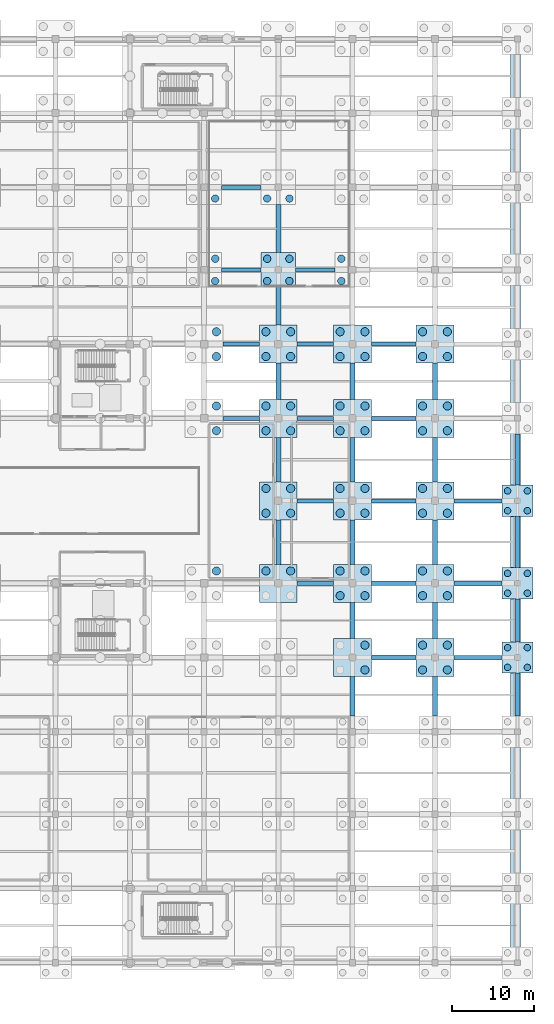
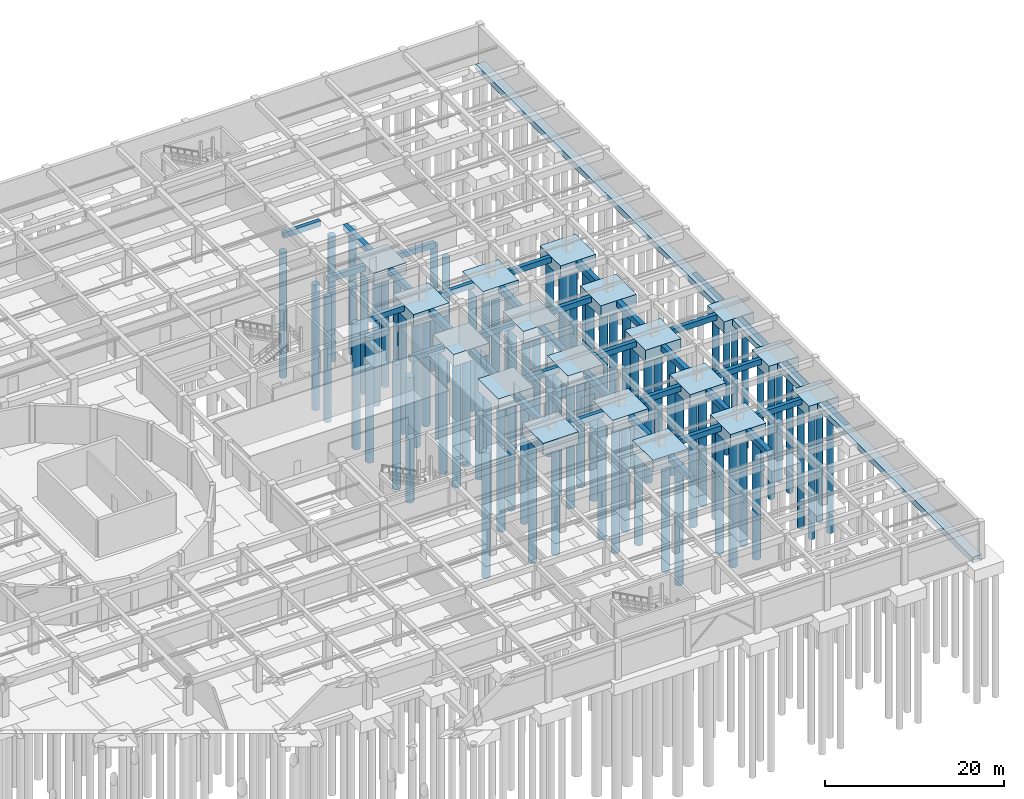
# One storey, part 10 of 62: 80 piles, 55 footings.
"""IFC4 building model written with IfcOpenShell, lengths in metres."""

import ifcopenshell
import ifcopenshell.guid

model = None  # the IFC model being written
_history = None  # IfcOwnerHistory: only IFC2X3 demands one
_inside = {}  # id of a spatial element -> (the spatial element, [elements in it])
_under = {}  # id of a project, library or spatial element -> (it, [spatial elements below it])
_declared = {}  # id of a project -> (the project, [libraries it declares])
_typed = {}  # id of a type object -> (the type object, [elements of that type])
_made_of = {}  # id of a material, layer set ... -> (it, [elements and type objects made of it])


def new_model(schema):
    """Start an empty IFC model of exactly this schema.

    Asked for "IFC4X3", IfcOpenShell would pick the latest addendum, in which some entities
    have other attributes; the version numbers below select the first issue.
    IFC2X3 requires an IfcOwnerHistory on every rooted entity: one is made here for all.
    """
    global model, _history
    if schema == "IFC4X3":
        model = ifcopenshell.file(schema_version=(4, 3, 0, 0))
    else:
        model = ifcopenshell.file(schema=schema)
    _inside.clear()
    _under.clear()
    _declared.clear()
    _typed.clear()
    _made_of.clear()
    _history = None
    if model.schema == "IFC2X3":
        org = make("IfcOrganization", Name="unknown")
        user = make(
            "IfcPersonAndOrganization",
            ThePerson=make("IfcPerson", FamilyName="unknown"),
            TheOrganization=org,
        )
        app = make(
            "IfcApplication",
            ApplicationDeveloper=org,
            Version="unknown",
            ApplicationFullName="unknown",
            ApplicationIdentifier="unknown",
        )
        _history = make(
            "IfcOwnerHistory",
            OwningUser=user,
            OwningApplication=app,
            ChangeAction="ADDED",
            CreationDate=0,
        )
    return model


def make(cls, **values):
    """One entity of the class cls with the attributes given. An attribute that is None is left unset."""
    return model.create_entity(
        cls, **{name: value for name, value in values.items() if value is not None}
    )


def rooted(cls, **values):
    """An entity with a GlobalId (a new one), such as an element, a storey or a relation."""
    return make(cls, GlobalId=ifcopenshell.guid.new(), OwnerHistory=_history, **values)


def si_unit(unit_type, name, prefix=None):
    """IfcSIUnit, for example si_unit("LENGTHUNIT", "METRE", prefix="MILLI")."""
    return make("IfcSIUnit", UnitType=unit_type, Prefix=prefix, Name=name)


def assignment(units):
    """IfcUnitAssignment: the units of a project."""
    return None if units is None else make("IfcUnitAssignment", Units=units)


def point(xyz):
    """IfcCartesianPoint."""
    return None if xyz is None else make("IfcCartesianPoint", Coordinates=xyz)


def direction(xyz):
    """IfcDirection."""
    return None if xyz is None else make("IfcDirection", DirectionRatios=xyz)


def frame(location, z_axis=None, x_axis=None):
    """IfcAxis2Placement3D, a coordinate frame: its origin and axes. An axis left out is left unset."""
    return make(
        "IfcAxis2Placement3D",
        Location=point(location),
        Axis=direction(z_axis),
        RefDirection=direction(x_axis),
    )


def frame_2d(location, x_axis=None):
    """IfcAxis2Placement2D, a coordinate frame in the plane: its origin and x axis."""
    return make(
        "IfcAxis2Placement2D", Location=point(location), RefDirection=direction(x_axis)
    )


def origin():
    """The frame at (0, 0, 0) with its axes left unset."""
    return frame((0.0, 0.0, 0.0))


def origin_2d():
    """The frame at (0, 0) in the plane with its x axis left unset."""
    return frame_2d((0.0, 0.0))


def place(relative_to, where):
    """IfcLocalPlacement: puts the frame where relative to a parent placement (None: the world)."""
    return make(
        "IfcLocalPlacement", PlacementRelTo=relative_to, RelativePlacement=where
    )


def context(
    kind, dimensions, precision=None, world=None, true_north=None, identifier=None
):
    """IfcGeometricRepresentationContext, for example the 3D "Model" context."""
    return make(
        "IfcGeometricRepresentationContext",
        ContextIdentifier=identifier,
        ContextType=kind,
        CoordinateSpaceDimension=dimensions,
        Precision=precision,
        WorldCoordinateSystem=world,
        TrueNorth=true_north,
    )


def subcontext(parent, identifier, kind, view, scale=None):
    """IfcGeometricRepresentationSubContext, for example "Body" below "Model"."""
    return make(
        "IfcGeometricRepresentationSubContext",
        ContextIdentifier=identifier,
        ContextType=kind,
        ParentContext=parent,
        TargetScale=scale,
        TargetView=view,
    )


def project(units=None, contexts=None):
    """IfcProject with its units and contexts."""
    return rooted(
        "IfcProject",
        Name="project",
        RepresentationContexts=contexts,
        UnitsInContext=assignment(units),
    )


def spatial(cls, under=None, at=None, **own):
    """A site, building, storey or space (cls), placed at a placement, below another one or the project."""
    s = rooted(cls, ObjectPlacement=at, **own)
    if under is not None:
        _under.setdefault(under.id(), (under, []))[1].append(s)
    return s


def polyline(points):
    """IfcPolyline through the points."""
    return make("IfcPolyline", Points=[point(p) for p in points])


def profile(cls, at=None, kind="AREA", **sizes):
    """A parametric profile (cls). Its sizes go by their IFC names, for example OverallWidth=200.0."""
    return make(cls, ProfileType=kind, Position=at, **sizes)


def rectangle(**sizes):
    """IfcRectangleProfileDef."""
    return profile("IfcRectangleProfileDef", **sizes)


def circle(**sizes):
    """IfcCircleProfileDef."""
    return profile("IfcCircleProfileDef", **sizes)


def outline(outer, holes=None, kind="AREA"):
    """IfcArbitraryClosedProfileDef: a profile drawn as a closed curve; with holes, ...WithVoids."""
    if holes is None:
        return make("IfcArbitraryClosedProfileDef", ProfileType=kind, OuterCurve=outer)
    return make(
        "IfcArbitraryProfileDefWithVoids",
        ProfileType=kind,
        OuterCurve=outer,
        InnerCurves=holes,
    )


def extrude(swept, where, along, depth):
    """IfcExtrudedAreaSolid: the profile swept, set in the frame where, extruded along a direction by depth."""
    return make(
        "IfcExtrudedAreaSolid",
        SweptArea=swept,
        Position=where,
        ExtrudedDirection=direction(along),
        Depth=depth,
    )


def shape(context_of_items, identifier, shape_type, items):
    """IfcShapeRepresentation: the items that make up one representation, for example the "Body"."""
    return make(
        "IfcShapeRepresentation",
        ContextOfItems=context_of_items,
        RepresentationIdentifier=identifier,
        RepresentationType=shape_type,
        Items=items,
    )


def material(Name=None, Category=None):
    """IfcMaterial."""
    return make("IfcMaterial", Name=Name, Category=Category)


def material_profile(
    of_material, cross_section, Name=None, Category=None, Priority=None
):
    """IfcMaterialProfile: a cross section and its material."""
    return make(
        "IfcMaterialProfile",
        Name=Name,
        Material=of_material,
        Profile=cross_section,
        Priority=Priority,
        Category=Category,
    )


def profile_set(profiles, Name=None, composite=None):
    """IfcMaterialProfileSet."""
    return make(
        "IfcMaterialProfileSet",
        Name=Name,
        MaterialProfiles=profiles,
        CompositeProfile=composite,
    )


def made_of(thing, what):
    """Note that an element or type object is made of a material, layer set ...; save() writes the relation."""
    if what is not None:
        _made_of.setdefault(what.id(), (what, []))[1].append(thing)
    return thing


def type_object(cls, material=None, **own):
    """A type object (cls), such as IfcWallType, which elements share."""
    return made_of(rooted(cls, **own), material)


def element(
    cls,
    number,
    at=None,
    inside=None,
    cuts=None,
    type_object=None,
    material=None,
    context=None,
    identifier="Body",
    shape_type=None,
    held_by="IfcProductDefinitionShape",
    body=None,
    shapes=None,
    **own,
):
    """One element of the class cls, such as IfcWall. Its Tag is "e" and its number.

    at: its placement. inside: the storey or other place that contains it. cuts: it is an
    opening in that element (IfcRelVoidsElement). A single representation is given by context,
    identifier, shape_type and body (its items); several are given by shapes. held_by: the class
    of the entity that holds the representations. save() writes the other relations.
    """
    e = rooted(cls, Tag="e%d" % number, ObjectPlacement=at, **own)
    if body is not None:
        shapes = [shape(context, identifier, shape_type, body)]
    if shapes is not None:
        e.Representation = make(held_by, Representations=shapes)
    if inside is not None:
        _inside.setdefault(inside.id(), (inside, []))[1].append(e)
    if cuts is not None:
        rooted(
            "IfcRelVoidsElement", RelatingBuildingElement=cuts, RelatedOpeningElement=e
        )
    if type_object is not None:
        _typed.setdefault(type_object.id(), (type_object, []))[1].append(e)
    return made_of(e, material)


def aggregate(whole, parts):
    """IfcRelAggregates: a whole, such as a stair, and the parts it consists of."""
    return rooted("IfcRelAggregates", RelatingObject=whole, RelatedObjects=parts)


def save(model, path):
    """Write the relations noted so far, then the file.

    IfcRelAggregates (storeys below a building ...), IfcRelContainedInSpatialStructure (elements
    in a storey), IfcRelDefinesByType, IfcRelAssociatesMaterial and IfcRelDeclares: one each for
    every whole, place, type object, material and project.
    """
    for whole, parts in _under.values():
        aggregate(whole, parts)
    for where, things in _inside.values():
        rooted(
            "IfcRelContainedInSpatialStructure",
            RelatedElements=things,
            RelatingStructure=where,
        )
    for kind, things in _typed.values():
        rooted("IfcRelDefinesByType", RelatedObjects=things, RelatingType=kind)
    for what, things in _made_of.values():
        rooted("IfcRelAssociatesMaterial", RelatedObjects=things, RelatingMaterial=what)
    for by, libraries in _declared.values():
        rooted("IfcRelDeclares", RelatingContext=by, RelatedDefinitions=libraries)
    model.write(path)


model = new_model("IFC4")

# Units and contexts
model_context = context("Model", 3, precision=1e-05, world=origin(), true_north=direction((0.0, 1.0)))
body_context = subcontext(model_context, "Body", "Model", "MODEL_VIEW")
ifc_project = project(units=[si_unit("LENGTHUNIT", "METRE"), si_unit("AREAUNIT", "SQUARE_METRE"), si_unit("VOLUMEUNIT", "CUBIC_METRE"), si_unit("PLANEANGLEUNIT", "RADIAN"), si_unit("MASSUNIT", "GRAM", prefix="KILO")], contexts=[model_context])

# Site, building, storey
site_placement = place(None, origin())
site = spatial("IfcSite", under=ifc_project, at=site_placement, CompositionType="ELEMENT")
building_placement = place(site_placement, origin())
building = spatial("IfcBuilding", under=site, at=building_placement, Name="Miravela Opera House", CompositionType="ELEMENT")
storey_placement = place(building_placement, frame((0.0, 0.0, -5.10009765625)))
storey = spatial("IfcBuildingStorey", under=building, at=storey_placement, Name="B01", CompositionType="ELEMENT", Elevation=-5.10009765625)

# Footings
ifc_material = material(Name="Concrete C35/45", Category="concrete")
footing_type_1 = type_object("IfcFootingType", Name="STR-GB-500X750", PredefinedType="FOOTING_BEAM", material=ifc_material)
footing_1_placement = place(storey_placement, frame((0.0, 0.0, -0.75)))
element("IfcFooting", 1, at=footing_1_placement, inside=storey, type_object=footing_type_1, Name="Seismic Grade Tie Beam GB-X-258", PredefinedType="FOOTING_BEAM", context=body_context, shape_type="SweptSolid", body=[
    extrude(outline(polyline([(146.300048828125, 36.75), (151.699951171875, 36.75), (151.699951171875, 37.25), (146.300048828125, 37.25), (146.300048828125, 36.75)])), origin(), (0.0, 0.0, 1.0), 0.75),
])
footing_2_placement = place(storey_placement, frame((0.0, 0.0, -0.75)))
element("IfcFooting", 2, at=footing_2_placement, inside=storey, type_object=footing_type_1, Name="Seismic Grade Tie Beam GB-X-259", PredefinedType="FOOTING_BEAM", context=body_context, shape_type="SweptSolid", body=[
    extrude(outline(polyline([(156.300048828125, 36.75), (162.10009765625, 36.75), (162.10009765625, 37.25), (156.300048828125, 37.25), (156.300048828125, 36.75)])), origin(), (0.0, 0.0, 1.0), 0.75),
])
footing_3_placement = place(storey_placement, frame((0.0, 0.0, -0.75)))
element("IfcFooting", 3, at=footing_3_placement, inside=storey, type_object=footing_type_1, Name="Seismic Grade Tie Beam GB-X-267", PredefinedType="FOOTING_BEAM", context=body_context, shape_type="SweptSolid", body=[
    extrude(outline(polyline([(137.300048828125, 45.75), (141.699951171875, 45.75), (141.699951171875, 46.25), (137.300048828125, 46.25), (137.300048828125, 45.75)])), origin(), (0.0, 0.0, 1.0), 0.75),
])
footing_4_placement = place(storey_placement, frame((0.0, 0.0, -0.75)))
element("IfcFooting", 4, at=footing_4_placement, inside=storey, type_object=footing_type_1, Name="Seismic Grade Tie Beam GB-X-268", PredefinedType="FOOTING_BEAM", context=body_context, shape_type="SweptSolid", body=[
    extrude(outline(polyline([(146.300048828125, 45.75), (151.699951171875, 45.75), (151.699951171875, 46.25), (146.300048828125, 46.25), (146.300048828125, 45.75)])), origin(), (0.0, 0.0, 1.0), 0.75),
])
footing_5_placement = place(storey_placement, frame((0.0, 0.0, -0.75)))
element("IfcFooting", 5, at=footing_5_placement, inside=storey, type_object=footing_type_1, Name="Seismic Grade Tie Beam GB-X-269", PredefinedType="FOOTING_BEAM", context=body_context, shape_type="SweptSolid", body=[
    extrude(outline(polyline([(156.300048828125, 45.75), (162.10009765625, 45.75), (162.10009765625, 46.25), (156.300048828125, 46.25), (156.300048828125, 45.75)])), origin(), (0.0, 0.0, 1.0), 0.75),
])
footing_6_placement = place(storey_placement, frame((0.0, 0.0, -0.75)))
element("IfcFooting", 6, at=footing_6_placement, inside=storey, type_object=footing_type_1, Name="Seismic Grade Tie Beam GB-X-274", PredefinedType="FOOTING_BEAM", context=body_context, shape_type="SweptSolid", body=[
    extrude(outline(polyline([(137.300048828125, 55.75), (141.699951171875, 55.75), (141.699951171875, 56.25), (137.300048828125, 56.25), (137.300048828125, 55.75)])), origin(), (0.0, 0.0, 1.0), 0.75),
])
footing_7_placement = place(storey_placement, frame((0.0, 0.0, -0.75)))
element("IfcFooting", 7, at=footing_7_placement, inside=storey, type_object=footing_type_1, Name="Seismic Grade Tie Beam GB-X-275", PredefinedType="FOOTING_BEAM", context=body_context, shape_type="SweptSolid", body=[
    extrude(outline(polyline([(146.300048828125, 55.75), (151.699951171875, 55.75), (151.699951171875, 56.25), (146.300048828125, 56.25), (146.300048828125, 55.75)])), origin(), (0.0, 0.0, 1.0), 0.75),
])
footing_8_placement = place(storey_placement, frame((0.0, 0.0, -0.75)))
element("IfcFooting", 8, at=footing_8_placement, inside=storey, type_object=footing_type_1, Name="Seismic Grade Tie Beam GB-X-276", PredefinedType="FOOTING_BEAM", context=body_context, shape_type="SweptSolid", body=[
    extrude(outline(polyline([(156.300048828125, 55.75), (162.10009765625, 55.75), (162.10009765625, 56.25), (156.300048828125, 56.25), (156.300048828125, 55.75)])), origin(), (0.0, 0.0, 1.0), 0.75),
])
footing_9_placement = place(storey_placement, frame((0.0, 0.0, -0.75)))
element("IfcFooting", 9, at=footing_9_placement, inside=storey, type_object=footing_type_1, Name="Seismic Grade Tie Beam GB-X-283", PredefinedType="FOOTING_BEAM", context=body_context, shape_type="SweptSolid", body=[
    extrude(outline(polyline([(128.300048828125, 65.75), (132.699951171875, 65.75), (132.699951171875, 66.25), (128.300048828125, 66.25), (128.300048828125, 65.75)])), origin(), (0.0, 0.0, 1.0), 0.75),
])
footing_10_placement = place(storey_placement, frame((0.0, 0.0, -0.75)))
element("IfcFooting", 10, at=footing_10_placement, inside=storey, type_object=footing_type_1, Name="Seismic Grade Tie Beam GB-X-284", PredefinedType="FOOTING_BEAM", context=body_context, shape_type="SweptSolid", body=[
    extrude(outline(polyline([(137.300048828125, 65.75), (141.699951171875, 65.75), (141.699951171875, 66.25), (137.300048828125, 66.25), (137.300048828125, 65.75)])), origin(), (0.0, 0.0, 1.0), 0.75),
])
footing_11_placement = place(storey_placement, frame((0.0, 0.0, -0.75)))
element("IfcFooting", 11, at=footing_11_placement, inside=storey, type_object=footing_type_1, Name="Seismic Grade Tie Beam GB-X-285", PredefinedType="FOOTING_BEAM", context=body_context, shape_type="SweptSolid", body=[
    extrude(outline(polyline([(146.300048828125, 65.75), (151.699951171875, 65.75), (151.699951171875, 66.25), (146.300048828125, 66.25), (146.300048828125, 65.75)])), origin(), (0.0, 0.0, 1.0), 0.75),
])
footing_12_placement = place(storey_placement, frame((0.0, 0.0, -0.75)))
element("IfcFooting", 12, at=footing_12_placement, inside=storey, type_object=footing_type_1, Name="Seismic Grade Tie Beam GB-X-297", PredefinedType="FOOTING_BEAM", context=body_context, shape_type="SweptSolid", body=[
    extrude(outline(polyline([(128.300048828125, 74.75), (132.699951171875, 74.75), (132.699951171875, 75.25), (128.300048828125, 75.25), (128.300048828125, 74.75)])), origin(), (0.0, 0.0, 1.0), 0.75),
])
footing_13_placement = place(storey_placement, frame((0.0, 0.0, -0.75)))
element("IfcFooting", 13, at=footing_13_placement, inside=storey, type_object=footing_type_1, Name="Seismic Grade Tie Beam GB-X-298", PredefinedType="FOOTING_BEAM", context=body_context, shape_type="SweptSolid", body=[
    extrude(outline(polyline([(137.300048828125, 74.75), (141.699951171875, 74.75), (141.699951171875, 75.25), (137.300048828125, 75.25), (137.300048828125, 74.75)])), origin(), (0.0, 0.0, 1.0), 0.75),
])
footing_14_placement = place(storey_placement, frame((0.0, 0.0, -0.75)))
element("IfcFooting", 14, at=footing_14_placement, inside=storey, type_object=footing_type_1, Name="Seismic Grade Tie Beam GB-X-299", PredefinedType="FOOTING_BEAM", context=body_context, shape_type="SweptSolid", body=[
    extrude(outline(polyline([(146.300048828125, 74.75), (151.699951171875, 74.75), (151.699951171875, 75.25), (146.300048828125, 75.25), (146.300048828125, 74.75)])), origin(), (0.0, 0.0, 1.0), 0.75),
])
footing_15_placement = place(storey_placement, frame((0.0, 0.0, -0.75)))
element("IfcFooting", 15, at=footing_15_placement, inside=storey, type_object=footing_type_1, Name="Seismic Grade Tie Beam GB-X-315", PredefinedType="FOOTING_BEAM", context=body_context, shape_type="SweptSolid", body=[
    extrude(outline(polyline([(128.10009765625, 83.75), (132.89990234375, 83.75), (132.89990234375, 84.25), (128.10009765625, 84.25), (128.10009765625, 83.75)])), origin(), (0.0, 0.0, 1.0), 0.75),
])
footing_16_placement = place(storey_placement, frame((0.0, 0.0, -0.75)))
element("IfcFooting", 16, at=footing_16_placement, inside=storey, type_object=footing_type_1, Name="Seismic Grade Tie Beam GB-X-316", PredefinedType="FOOTING_BEAM", context=body_context, shape_type="SweptSolid", body=[
    extrude(outline(polyline([(137.10009765625, 83.75), (141.89990234375, 83.75), (141.89990234375, 84.25), (137.10009765625, 84.25), (137.10009765625, 83.75)])), origin(), (0.0, 0.0, 1.0), 0.75),
])
footing_17_placement = place(storey_placement, frame((0.0, 0.0, -0.75)))
element("IfcFooting", 17, at=footing_17_placement, inside=storey, type_object=footing_type_1, Name="Seismic Grade Tie Beam GB-X-333", PredefinedType="FOOTING_BEAM", context=body_context, shape_type="SweptSolid", body=[
    extrude(outline(polyline([(128.10009765625, 93.75), (132.89990234375, 93.75), (132.89990234375, 94.25), (128.10009765625, 94.25), (128.10009765625, 93.75)])), origin(), (0.0, 0.0, 1.0), 0.75),
])
footing_type_2 = type_object("IfcFootingType", Name="STR-GB-600X800", PredefinedType="FOOTING_BEAM", material=ifc_material)
footing_18_placement = place(storey_placement, frame((0.0, 0.0, -0.7998046875)))
element("IfcFooting", 18, at=footing_18_placement, inside=storey, type_object=footing_type_2, Name="Seismic Grade Tie Beam GB-Y-137", PredefinedType="FOOTING_BEAM", context=body_context, shape_type="SweptSolid", body=[
    extrude(outline(polyline([(134.699951171875, 48.300048828125), (135.300048828125, 48.300048828125), (135.300048828125, 53.699951171875), (134.699951171875, 53.699951171875), (134.699951171875, 48.300048828125)])), origin(), (0.0, 0.0, 1.0), 0.7998046875),
])
footing_19_placement = place(storey_placement, frame((0.0, 0.0, -0.7998046875)))
element("IfcFooting", 19, at=footing_19_placement, inside=storey, type_object=footing_type_2, Name="Seismic Grade Tie Beam GB-Y-138", PredefinedType="FOOTING_BEAM", context=body_context, shape_type="SweptSolid", body=[
    extrude(outline(polyline([(134.699951171875, 58.300048828125), (135.300048828125, 58.300048828125), (135.300048828125, 63.699951171875), (134.699951171875, 63.699951171875), (134.699951171875, 58.300048828125)])), origin(), (0.0, 0.0, 1.0), 0.7998046875),
])
footing_20_placement = place(storey_placement, frame((0.0, 0.0, -0.7998046875)))
element("IfcFooting", 20, at=footing_20_placement, inside=storey, type_object=footing_type_2, Name="Seismic Grade Tie Beam GB-Y-139", PredefinedType="FOOTING_BEAM", context=body_context, shape_type="SweptSolid", body=[
    extrude(outline(polyline([(134.699951171875, 68.300048828125), (135.300048828125, 68.300048828125), (135.300048828125, 72.699951171875), (134.699951171875, 72.699951171875), (134.699951171875, 68.300048828125)])), origin(), (0.0, 0.0, 1.0), 0.7998046875),
])
footing_21_placement = place(storey_placement, frame((0.0, 0.0, -0.7998046875)))
element("IfcFooting", 21, at=footing_21_placement, inside=storey, type_object=footing_type_2, Name="Seismic Grade Tie Beam GB-Y-140", PredefinedType="FOOTING_BEAM", context=body_context, shape_type="SweptSolid", body=[
    extrude(outline(polyline([(134.699951171875, 77.300048828125), (135.300048828125, 77.300048828125), (135.300048828125, 81.89990234375), (134.699951171875, 81.89990234375), (134.699951171875, 77.300048828125)])), origin(), (0.0, 0.0, 1.0), 0.7998046875),
])
footing_22_placement = place(storey_placement, frame((0.0, 0.0, -0.7998046875)))
element("IfcFooting", 22, at=footing_22_placement, inside=storey, type_object=footing_type_2, Name="Seismic Grade Tie Beam GB-Y-141", PredefinedType="FOOTING_BEAM", context=body_context, shape_type="SweptSolid", body=[
    extrude(outline(polyline([(134.699951171875, 86.10009765625), (135.300048828125, 86.10009765625), (135.300048828125, 91.89990234375), (134.699951171875, 91.89990234375), (134.699951171875, 86.10009765625)])), origin(), (0.0, 0.0, 1.0), 0.7998046875),
])
footing_23_placement = place(storey_placement, frame((0.0, 0.0, -0.7998046875)))
element("IfcFooting", 23, at=footing_23_placement, inside=storey, type_object=footing_type_2, Name="Seismic Grade Tie Beam GB-Y-147", PredefinedType="FOOTING_BEAM", context=body_context, shape_type="SweptSolid", body=[
    extrude(outline(polyline([(143.699951171875, 29.89990234375), (144.300048828125, 29.89990234375), (144.300048828125, 34.699951171875), (143.699951171875, 34.699951171875), (143.699951171875, 29.89990234375)])), origin(), (0.0, 0.0, 1.0), 0.7998046875),
])
footing_24_placement = place(storey_placement, frame((0.0, 0.0, -0.7998046875)))
element("IfcFooting", 24, at=footing_24_placement, inside=storey, type_object=footing_type_2, Name="Seismic Grade Tie Beam GB-Y-148", PredefinedType="FOOTING_BEAM", context=body_context, shape_type="SweptSolid", body=[
    extrude(outline(polyline([(143.699951171875, 39.300048828125), (144.300048828125, 39.300048828125), (144.300048828125, 43.699951171875), (143.699951171875, 43.699951171875), (143.699951171875, 39.300048828125)])), origin(), (0.0, 0.0, 1.0), 0.7998046875),
])
footing_25_placement = place(storey_placement, frame((0.0, 0.0, -0.7998046875)))
element("IfcFooting", 25, at=footing_25_placement, inside=storey, type_object=footing_type_2, Name="Seismic Grade Tie Beam GB-Y-149", PredefinedType="FOOTING_BEAM", context=body_context, shape_type="SweptSolid", body=[
    extrude(outline(polyline([(143.699951171875, 48.300048828125), (144.300048828125, 48.300048828125), (144.300048828125, 53.699951171875), (143.699951171875, 53.699951171875), (143.699951171875, 48.300048828125)])), origin(), (0.0, 0.0, 1.0), 0.7998046875),
])
footing_26_placement = place(storey_placement, frame((0.0, 0.0, -0.7998046875)))
element("IfcFooting", 26, at=footing_26_placement, inside=storey, type_object=footing_type_2, Name="Seismic Grade Tie Beam GB-Y-150", PredefinedType="FOOTING_BEAM", context=body_context, shape_type="SweptSolid", body=[
    extrude(outline(polyline([(143.699951171875, 58.300048828125), (144.300048828125, 58.300048828125), (144.300048828125, 63.699951171875), (143.699951171875, 63.699951171875), (143.699951171875, 58.300048828125)])), origin(), (0.0, 0.0, 1.0), 0.7998046875),
])
footing_27_placement = place(storey_placement, frame((0.0, 0.0, -0.7998046875)))
element("IfcFooting", 27, at=footing_27_placement, inside=storey, type_object=footing_type_2, Name="Seismic Grade Tie Beam GB-Y-151", PredefinedType="FOOTING_BEAM", context=body_context, shape_type="SweptSolid", body=[
    extrude(outline(polyline([(143.699951171875, 68.300048828125), (144.300048828125, 68.300048828125), (144.300048828125, 72.699951171875), (143.699951171875, 72.699951171875), (143.699951171875, 68.300048828125)])), origin(), (0.0, 0.0, 1.0), 0.7998046875),
])
footing_28_placement = place(storey_placement, frame((0.0, 0.0, -0.7998046875)))
element("IfcFooting", 28, at=footing_28_placement, inside=storey, type_object=footing_type_2, Name="Seismic Grade Tie Beam GB-Y-159", PredefinedType="FOOTING_BEAM", context=body_context, shape_type="SweptSolid", body=[
    extrude(outline(polyline([(153.699951171875, 29.89990234375), (154.300048828125, 29.89990234375), (154.300048828125, 34.699951171875), (153.699951171875, 34.699951171875), (153.699951171875, 29.89990234375)])), origin(), (0.0, 0.0, 1.0), 0.7998046875),
])
footing_29_placement = place(storey_placement, frame((0.0, 0.0, -0.7998046875)))
element("IfcFooting", 29, at=footing_29_placement, inside=storey, type_object=footing_type_2, Name="Seismic Grade Tie Beam GB-Y-160", PredefinedType="FOOTING_BEAM", context=body_context, shape_type="SweptSolid", body=[
    extrude(outline(polyline([(153.699951171875, 39.300048828125), (154.300048828125, 39.300048828125), (154.300048828125, 43.699951171875), (153.699951171875, 43.699951171875), (153.699951171875, 39.300048828125)])), origin(), (0.0, 0.0, 1.0), 0.7998046875),
])
footing_30_placement = place(storey_placement, frame((0.0, 0.0, -0.7998046875)))
element("IfcFooting", 30, at=footing_30_placement, inside=storey, type_object=footing_type_2, Name="Seismic Grade Tie Beam GB-Y-161", PredefinedType="FOOTING_BEAM", context=body_context, shape_type="SweptSolid", body=[
    extrude(outline(polyline([(153.699951171875, 48.300048828125), (154.300048828125, 48.300048828125), (154.300048828125, 53.699951171875), (153.699951171875, 53.699951171875), (153.699951171875, 48.300048828125)])), origin(), (0.0, 0.0, 1.0), 0.7998046875),
])
footing_31_placement = place(storey_placement, frame((0.0, 0.0, -0.7998046875)))
element("IfcFooting", 31, at=footing_31_placement, inside=storey, type_object=footing_type_2, Name="Seismic Grade Tie Beam GB-Y-162", PredefinedType="FOOTING_BEAM", context=body_context, shape_type="SweptSolid", body=[
    extrude(outline(polyline([(153.699951171875, 58.300048828125), (154.300048828125, 58.300048828125), (154.300048828125, 63.699951171875), (153.699951171875, 63.699951171875), (153.699951171875, 58.300048828125)])), origin(), (0.0, 0.0, 1.0), 0.7998046875),
])
footing_32_placement = place(storey_placement, frame((0.0, 0.0, -0.7998046875)))
element("IfcFooting", 32, at=footing_32_placement, inside=storey, type_object=footing_type_2, Name="Seismic Grade Tie Beam GB-Y-163", PredefinedType="FOOTING_BEAM", context=body_context, shape_type="SweptSolid", body=[
    extrude(outline(polyline([(153.699951171875, 68.300048828125), (154.300048828125, 68.300048828125), (154.300048828125, 72.699951171875), (153.699951171875, 72.699951171875), (153.699951171875, 68.300048828125)])), origin(), (0.0, 0.0, 1.0), 0.7998046875),
])
footing_33_placement = place(storey_placement, frame((0.0, 0.0, -0.7998046875)))
element("IfcFooting", 33, at=footing_33_placement, inside=storey, type_object=footing_type_2, Name="Seismic Grade Tie Beam GB-Y-171", PredefinedType="FOOTING_BEAM", context=body_context, shape_type="SweptSolid", body=[
    extrude(outline(polyline([(163.699951171875, 29.89990234375), (164.300048828125, 29.89990234375), (164.300048828125, 35.10009765625), (163.699951171875, 35.10009765625), (163.699951171875, 29.89990234375)])), origin(), (0.0, 0.0, 1.0), 0.7998046875),
])
footing_34_placement = place(storey_placement, frame((0.0, 0.0, -0.7998046875)))
element("IfcFooting", 34, at=footing_34_placement, inside=storey, type_object=footing_type_2, Name="Seismic Grade Tie Beam GB-Y-172", PredefinedType="FOOTING_BEAM", context=body_context, shape_type="SweptSolid", body=[
    extrude(outline(polyline([(163.699951171875, 38.89990234375), (164.300048828125, 38.89990234375), (164.300048828125, 44.10009765625), (163.699951171875, 44.10009765625), (163.699951171875, 38.89990234375)])), origin(), (0.0, 0.0, 1.0), 0.7998046875),
])
footing_35_placement = place(storey_placement, frame((0.0, 0.0, -0.7998046875)))
element("IfcFooting", 35, at=footing_35_placement, inside=storey, type_object=footing_type_2, Name="Seismic Grade Tie Beam GB-Y-173", PredefinedType="FOOTING_BEAM", context=body_context, shape_type="SweptSolid", body=[
    extrude(outline(polyline([(163.699951171875, 47.89990234375), (164.300048828125, 47.89990234375), (164.300048828125, 54.10009765625), (163.699951171875, 54.10009765625), (163.699951171875, 47.89990234375)])), origin(), (0.0, 0.0, 1.0), 0.7998046875),
])
footing_36_placement = place(storey_placement, frame((0.0, 0.0, -0.7998046875)))
element("IfcFooting", 36, at=footing_36_placement, inside=storey, type_object=footing_type_2, Name="Seismic Grade Tie Beam GB-Y-174", PredefinedType="FOOTING_BEAM", context=body_context, shape_type="SweptSolid", body=[
    extrude(outline(polyline([(163.699951171875, 57.89990234375), (164.300048828125, 57.89990234375), (164.300048828125, 64.10009765625), (163.699951171875, 64.10009765625), (163.699951171875, 57.89990234375)])), origin(), (0.0, 0.0, 1.0), 0.7998046875),
])
footing_type_3 = type_object("IfcFootingType", Name="STR-PC-3800X3800X1600", PredefinedType="PILE_CAP", material=ifc_material)
for number, where, z_axis, x_axis, name in (
    (37, (164.0, 37.0, -1.599853515625), (0.0, 0.0, 1.0), (1.0, 0.0, 0.0), "Pile Cap PC-B01-191 (PC-01)"),
    (38, (164.0, 46.0, -1.599853515625), (0.0, 0.0, 1.0), (1.0, 0.0, 0.0), "Pile Cap PC-B01-192 (PC-01)"),
    (39, (164.0, 56.0, -1.599853515625), (0.0, 0.0, 1.0), (1.0, 0.0, 0.0), "Pile Cap PC-B01-193 (PC-01)"),
):
    element("IfcFooting", number, at=place(storey_placement, frame(where, z_axis=z_axis, x_axis=x_axis)), inside=storey, type_object=footing_type_3, Name=name, PredefinedType="PILE_CAP", context=body_context, shape_type="SweptSolid", body=[
        extrude(rectangle(XDim=3.800048828125, YDim=3.800048828125, at=origin_2d()), origin(), (0.0, 0.0, 1.0), 1.60009765625),
    ])
footing_type_4 = type_object("IfcFootingType", Name="STR-PC-4200X4200X1600", PredefinedType="PILE_CAP", material=ifc_material)
footing_37_placement = place(storey_placement, frame((135.0, 84.0, -1.599853515625), z_axis=(0.0, 0.0, 1.0), x_axis=(1.0, 0.0, 0.0)))
element("IfcFooting", 40, at=footing_37_placement, inside=storey, type_object=footing_type_4, Name="Pile Cap PC-B01-157 (PC-02)", PredefinedType="PILE_CAP", context=body_context, shape_type="SweptSolid", body=[
    extrude(rectangle(XDim=4.199951171875, YDim=4.199951171875, at=origin_2d()), origin(), (0.0, 0.0, 1.0), 1.60009765625),
])
footing_type_5 = type_object("IfcFootingType", Name="STR-PC-4600X4600X1600", PredefinedType="PILE_CAP", material=ifc_material)
for number, where, z_axis, x_axis, name in (
    (41, (135.0, 46.0, -1.599853515625), (0.0, 0.0, 1.0), (1.0, 0.0, 0.0), "Pile Cap PC-B01-153 (PC-04)"),
    (42, (135.0, 56.0, -1.599853515625), (0.0, 0.0, 1.0), (1.0, 0.0, 0.0), "Pile Cap PC-B01-154 (PC-04)"),
    (43, (135.0, 66.0, -1.599853515625), (0.0, 0.0, 1.0), (1.0, 0.0, 0.0), "Pile Cap PC-B01-155 (PC-04)"),
    (44, (135.0, 75.0, -1.599853515625), (0.0, 0.0, 1.0), (1.0, 0.0, 0.0), "Pile Cap PC-B01-156 (PC-04)"),
    (45, (144.0, 37.0, -1.599853515625), (0.0, 0.0, 1.0), (1.0, 0.0, 0.0), "Pile Cap PC-B01-165 (PC-04)"),
    (46, (144.0, 46.0, -1.599853515625), (0.0, 0.0, 1.0), (1.0, 0.0, 0.0), "Pile Cap PC-B01-166 (PC-04)"),
    (47, (144.0, 56.0, -1.599853515625), (0.0, 0.0, 1.0), (1.0, 0.0, 0.0), "Pile Cap PC-B01-167 (PC-04)"),
    (48, (144.0, 66.0, -1.599853515625), (0.0, 0.0, 1.0), (1.0, 0.0, 0.0), "Pile Cap PC-B01-168 (PC-04)"),
    (49, (144.0, 75.0, -1.599853515625), (0.0, 0.0, 1.0), (1.0, 0.0, 0.0), "Pile Cap PC-B01-169 (PC-04)"),
    (50, (154.0, 37.0, -1.599853515625), (0.0, 0.0, 1.0), (1.0, 0.0, 0.0), "Pile Cap PC-B01-178 (PC-04)"),
    (51, (154.0, 46.0, -1.599853515625), (0.0, 0.0, 1.0), (1.0, 0.0, 0.0), "Pile Cap PC-B01-179 (PC-04)"),
    (52, (154.0, 56.0, -1.599853515625), (0.0, 0.0, 1.0), (1.0, 0.0, 0.0), "Pile Cap PC-B01-180 (PC-04)"),
    (53, (154.0, 66.0, -1.599853515625), (0.0, 0.0, 1.0), (1.0, 0.0, 0.0), "Pile Cap PC-B01-181 (PC-04)"),
    (54, (154.0, 75.0, -1.599853515625), (0.0, 0.0, 1.0), (1.0, 0.0, 0.0), "Pile Cap PC-B01-182 (PC-04)"),
):
    element("IfcFooting", number, at=place(storey_placement, frame(where, z_axis=z_axis, x_axis=x_axis)), inside=storey, type_object=footing_type_5, Name=name, PredefinedType="PILE_CAP", context=body_context, shape_type="SweptSolid", body=[
        extrude(rectangle(XDim=4.60009765625, YDim=4.60009765625, at=origin_2d()), origin(), (0.0, 0.0, 1.0), 1.60009765625),
    ])

# Piles
ifc_material_profile_1 = material_profile(ifc_material, circle(Radius=0.5, at=origin_2d()), Name="PILE-D1000")
ifc_profile_set_1 = profile_set([ifc_material_profile_1])
pile_type_1 = type_object("IfcPileType", Name="STR-PILE-D1000", PredefinedType="BORED", material=ifc_profile_set_1)
for number, where, z_axis, x_axis, name in (
    (55, (127.5, 47.5, -1.449951171875), (0.0, 0.0, -1.0), (1.0, 0.0, 0.0), "Bored Pile P-639"),
    (56, (127.5, 64.5, -1.449951171875), (0.0, 0.0, -1.0), (1.0, 0.0, 0.0), "Bored Pile P-642"),
    (57, (127.5, 67.5, -1.449951171875), (0.0, 0.0, -1.0), (1.0, 0.0, 0.0), "Bored Pile P-643"),
    (58, (127.5, 73.5, -1.449951171875), (0.0, 0.0, -1.0), (1.0, 0.0, 0.0), "Bored Pile P-646"),
    (59, (127.5, 76.5, -1.449951171875), (0.0, 0.0, -1.0), (1.0, 0.0, 0.0), "Bored Pile P-647"),
    (60, (133.5, 47.5, -1.449951171875), (0.0, 0.0, -1.0), (1.0, 0.0, 0.0), "Bored Pile P-677"),
    (61, (136.5, 47.5, -1.449951171875), (0.0, 0.0, -1.0), (1.0, 0.0, 0.0), "Bored Pile P-679"),
    (62, (133.5, 54.5, -1.449951171875), (0.0, 0.0, -1.0), (1.0, 0.0, 0.0), "Bored Pile P-680"),
    (63, (133.5, 57.5, -1.449951171875), (0.0, 0.0, -1.0), (1.0, 0.0, 0.0), "Bored Pile P-681"),
    (64, (136.5, 54.5, -1.449951171875), (0.0, 0.0, -1.0), (1.0, 0.0, 0.0), "Bored Pile P-682"),
    (65, (136.5, 57.5, -1.449951171875), (0.0, 0.0, -1.0), (1.0, 0.0, 0.0), "Bored Pile P-683"),
    (66, (133.5, 64.5, -1.449951171875), (0.0, 0.0, -1.0), (1.0, 0.0, 0.0), "Bored Pile P-684"),
    (67, (133.5, 67.5, -1.449951171875), (0.0, 0.0, -1.0), (1.0, 0.0, 0.0), "Bored Pile P-685"),
    (68, (136.5, 64.5, -1.449951171875), (0.0, 0.0, -1.0), (1.0, 0.0, 0.0), "Bored Pile P-686"),
    (69, (136.5, 67.5, -1.449951171875), (0.0, 0.0, -1.0), (1.0, 0.0, 0.0), "Bored Pile P-687"),
    (70, (133.5, 73.5, -1.449951171875), (0.0, 0.0, -1.0), (1.0, 0.0, 0.0), "Bored Pile P-688"),
    (71, (133.5, 76.5, -1.449951171875), (0.0, 0.0, -1.0), (1.0, 0.0, 0.0), "Bored Pile P-689"),
    (72, (136.5, 73.5, -1.449951171875), (0.0, 0.0, -1.0), (1.0, 0.0, 0.0), "Bored Pile P-690"),
    (73, (136.5, 76.5, -1.449951171875), (0.0, 0.0, -1.0), (1.0, 0.0, 0.0), "Bored Pile P-691"),
    (74, (145.5, 35.5, -1.449951171875), (0.0, 0.0, -1.0), (1.0, 0.0, 0.0), "Bored Pile P-726"),
    (75, (145.5, 38.5, -1.449951171875), (0.0, 0.0, -1.0), (1.0, 0.0, 0.0), "Bored Pile P-727"),
    (76, (142.5, 44.5, -1.449951171875), (0.0, 0.0, -1.0), (1.0, 0.0, 0.0), "Bored Pile P-728"),
    (77, (142.5, 47.5, -1.449951171875), (0.0, 0.0, -1.0), (1.0, 0.0, 0.0), "Bored Pile P-729"),
    (78, (145.5, 44.5, -1.449951171875), (0.0, 0.0, -1.0), (1.0, 0.0, 0.0), "Bored Pile P-730"),
    (79, (145.5, 47.5, -1.449951171875), (0.0, 0.0, -1.0), (1.0, 0.0, 0.0), "Bored Pile P-731"),
    (80, (142.5, 54.5, -1.449951171875), (0.0, 0.0, -1.0), (1.0, 0.0, 0.0), "Bored Pile P-732"),
    (81, (142.5, 57.5, -1.449951171875), (0.0, 0.0, -1.0), (1.0, 0.0, 0.0), "Bored Pile P-733"),
    (82, (145.5, 54.5, -1.449951171875), (0.0, 0.0, -1.0), (1.0, 0.0, 0.0), "Bored Pile P-734"),
    (83, (145.5, 57.5, -1.449951171875), (0.0, 0.0, -1.0), (1.0, 0.0, 0.0), "Bored Pile P-735"),
    (84, (142.5, 64.5, -1.449951171875), (0.0, 0.0, -1.0), (1.0, 0.0, 0.0), "Bored Pile P-736"),
    (85, (142.5, 67.5, -1.449951171875), (0.0, 0.0, -1.0), (1.0, 0.0, 0.0), "Bored Pile P-737"),
    (86, (145.5, 64.5, -1.449951171875), (0.0, 0.0, -1.0), (1.0, 0.0, 0.0), "Bored Pile P-738"),
    (87, (145.5, 67.5, -1.449951171875), (0.0, 0.0, -1.0), (1.0, 0.0, 0.0), "Bored Pile P-739"),
    (88, (142.5, 73.5, -1.449951171875), (0.0, 0.0, -1.0), (1.0, 0.0, 0.0), "Bored Pile P-740"),
    (89, (142.5, 76.5, -1.449951171875), (0.0, 0.0, -1.0), (1.0, 0.0, 0.0), "Bored Pile P-741"),
    (90, (145.5, 73.5, -1.449951171875), (0.0, 0.0, -1.0), (1.0, 0.0, 0.0), "Bored Pile P-742"),
    (91, (145.5, 76.5, -1.449951171875), (0.0, 0.0, -1.0), (1.0, 0.0, 0.0), "Bored Pile P-743"),
    (92, (152.5, 35.5, -1.449951171875), (0.0, 0.0, -1.0), (1.0, 0.0, 0.0), "Bored Pile P-776"),
    (93, (152.5, 38.5, -1.449951171875), (0.0, 0.0, -1.0), (1.0, 0.0, 0.0), "Bored Pile P-777"),
    (94, (155.5, 35.5, -1.449951171875), (0.0, 0.0, -1.0), (1.0, 0.0, 0.0), "Bored Pile P-778"),
    (95, (155.5, 38.5, -1.449951171875), (0.0, 0.0, -1.0), (1.0, 0.0, 0.0), "Bored Pile P-779"),
    (96, (152.5, 44.5, -1.449951171875), (0.0, 0.0, -1.0), (1.0, 0.0, 0.0), "Bored Pile P-780"),
    (97, (152.5, 47.5, -1.449951171875), (0.0, 0.0, -1.0), (1.0, 0.0, 0.0), "Bored Pile P-781"),
    (98, (155.5, 44.5, -1.449951171875), (0.0, 0.0, -1.0), (1.0, 0.0, 0.0), "Bored Pile P-782"),
    (99, (155.5, 47.5, -1.449951171875), (0.0, 0.0, -1.0), (1.0, 0.0, 0.0), "Bored Pile P-783"),
    (100, (152.5, 54.5, -1.449951171875), (0.0, 0.0, -1.0), (1.0, 0.0, 0.0), "Bored Pile P-784"),
    (101, (152.5, 57.5, -1.449951171875), (0.0, 0.0, -1.0), (1.0, 0.0, 0.0), "Bored Pile P-785"),
    (102, (155.5, 54.5, -1.449951171875), (0.0, 0.0, -1.0), (1.0, 0.0, 0.0), "Bored Pile P-786"),
    (103, (155.5, 57.5, -1.449951171875), (0.0, 0.0, -1.0), (1.0, 0.0, 0.0), "Bored Pile P-787"),
    (104, (152.5, 64.5, -1.449951171875), (0.0, 0.0, -1.0), (1.0, 0.0, 0.0), "Bored Pile P-788"),
    (105, (152.5, 67.5, -1.449951171875), (0.0, 0.0, -1.0), (1.0, 0.0, 0.0), "Bored Pile P-789"),
    (106, (155.5, 64.5, -1.449951171875), (0.0, 0.0, -1.0), (1.0, 0.0, 0.0), "Bored Pile P-790"),
    (107, (155.5, 67.5, -1.449951171875), (0.0, 0.0, -1.0), (1.0, 0.0, 0.0), "Bored Pile P-791"),
    (108, (152.5, 73.5, -1.449951171875), (0.0, 0.0, -1.0), (1.0, 0.0, 0.0), "Bored Pile P-792"),
    (109, (152.5, 76.5, -1.449951171875), (0.0, 0.0, -1.0), (1.0, 0.0, 0.0), "Bored Pile P-793"),
    (110, (155.5, 73.5, -1.449951171875), (0.0, 0.0, -1.0), (1.0, 0.0, 0.0), "Bored Pile P-794"),
    (111, (155.5, 76.5, -1.449951171875), (0.0, 0.0, -1.0), (1.0, 0.0, 0.0), "Bored Pile P-795"),
):
    element("IfcPile", number, at=place(storey_placement, frame(where, z_axis=z_axis, x_axis=x_axis)), inside=storey, type_object=pile_type_1, Name=name, PredefinedType="BORED", context=body_context, shape_type="SweptSolid", body=[
        extrude(circle(Radius=0.5, at=origin_2d()), origin(), (0.0, 0.0, 1.0), 17.14990234375),
    ])
ifc_material_profile_2 = material_profile(ifc_material, circle(Radius=0.39990234375, at=origin_2d()), Name="PILE-D800")
ifc_profile_set_2 = profile_set([ifc_material_profile_2])
pile_type_2 = type_object("IfcPileType", Name="STR-PILE-D800", PredefinedType="BORED", material=ifc_profile_set_2)
for number, where, z_axis, x_axis, name in (
    (112, (162.800048828125, 35.800048828125, -1.449951171875), (0.0, 0.0, -1.0), (1.0, 0.0, 0.0), "Bored Pile P-828"),
    (113, (162.800048828125, 38.199951171875, -1.449951171875), (0.0, 0.0, -1.0), (1.0, 0.0, 0.0), "Bored Pile P-829"),
    (114, (165.199951171875, 35.800048828125, -1.449951171875), (0.0, 0.0, -1.0), (1.0, 0.0, 0.0), "Bored Pile P-830"),
    (115, (165.199951171875, 38.199951171875, -1.449951171875), (0.0, 0.0, -1.0), (1.0, 0.0, 0.0), "Bored Pile P-831"),
    (116, (162.800048828125, 44.800048828125, -1.449951171875), (0.0, 0.0, -1.0), (1.0, 0.0, 0.0), "Bored Pile P-832"),
    (117, (162.800048828125, 47.199951171875, -1.449951171875), (0.0, 0.0, -1.0), (1.0, 0.0, 0.0), "Bored Pile P-833"),
    (118, (165.199951171875, 44.800048828125, -1.449951171875), (0.0, 0.0, -1.0), (1.0, 0.0, 0.0), "Bored Pile P-834"),
    (119, (165.199951171875, 47.199951171875, -1.449951171875), (0.0, 0.0, -1.0), (1.0, 0.0, 0.0), "Bored Pile P-835"),
    (120, (162.800048828125, 54.800048828125, -1.449951171875), (0.0, 0.0, -1.0), (1.0, 0.0, 0.0), "Bored Pile P-836"),
    (121, (162.800048828125, 57.199951171875, -1.449951171875), (0.0, 0.0, -1.0), (1.0, 0.0, 0.0), "Bored Pile P-837"),
    (122, (165.199951171875, 54.800048828125, -1.449951171875), (0.0, 0.0, -1.0), (1.0, 0.0, 0.0), "Bored Pile P-838"),
    (123, (165.199951171875, 57.199951171875, -1.449951171875), (0.0, 0.0, -1.0), (1.0, 0.0, 0.0), "Bored Pile P-839"),
):
    element("IfcPile", number, at=place(storey_placement, frame(where, z_axis=z_axis, x_axis=x_axis)), inside=storey, type_object=pile_type_2, Name=name, PredefinedType="BORED", context=body_context, shape_type="SweptSolid", body=[
        extrude(circle(Radius=0.39990234375, at=origin_2d()), origin(), (0.0, 0.0, 1.0), 17.14990234375),
    ])
ifc_material_profile_3 = material_profile(ifc_material, circle(Radius=0.449951171875, at=origin_2d()), Name="PILE-D900")
ifc_profile_set_3 = profile_set([ifc_material_profile_3])
pile_type_3 = type_object("IfcPileType", Name="STR-PILE-D900", PredefinedType="BORED", material=ifc_profile_set_3)
for number, where, z_axis, x_axis, name in (
    (124, (127.35009765625, 82.64990234375, -1.449951171875), (0.0, 0.0, -1.0), (1.0, 0.0, 0.0), "Bored Pile P-650"),
    (125, (127.35009765625, 85.35009765625, -1.449951171875), (0.0, 0.0, -1.0), (1.0, 0.0, 0.0), "Bored Pile P-651"),
    (126, (127.35009765625, 92.64990234375, -1.449951171875), (0.0, 0.0, -1.0), (1.0, 0.0, 0.0), "Bored Pile P-654"),
    (127, (133.64990234375, 82.64990234375, -1.449951171875), (0.0, 0.0, -1.0), (1.0, 0.0, 0.0), "Bored Pile P-692"),
    (128, (133.64990234375, 85.35009765625, -1.449951171875), (0.0, 0.0, -1.0), (1.0, 0.0, 0.0), "Bored Pile P-693"),
    (129, (136.35009765625, 82.64990234375, -1.449951171875), (0.0, 0.0, -1.0), (1.0, 0.0, 0.0), "Bored Pile P-694"),
    (130, (136.35009765625, 85.35009765625, -1.449951171875), (0.0, 0.0, -1.0), (1.0, 0.0, 0.0), "Bored Pile P-695"),
    (131, (133.64990234375, 92.64990234375, -1.449951171875), (0.0, 0.0, -1.0), (1.0, 0.0, 0.0), "Bored Pile P-696"),
    (132, (136.35009765625, 92.64990234375, -1.449951171875), (0.0, 0.0, -1.0), (1.0, 0.0, 0.0), "Bored Pile P-698"),
    (133, (142.64990234375, 82.64990234375, -1.449951171875), (0.0, 0.0, -1.0), (1.0, 0.0, 0.0), "Bored Pile P-744"),
    (134, (142.64990234375, 85.35009765625, -1.449951171875), (0.0, 0.0, -1.0), (1.0, 0.0, 0.0), "Bored Pile P-745"),
):
    element("IfcPile", number, at=place(storey_placement, frame(where, z_axis=z_axis, x_axis=x_axis)), inside=storey, type_object=pile_type_3, Name=name, PredefinedType="BORED", context=body_context, shape_type="SweptSolid", body=[
        extrude(circle(Radius=0.449951171875, at=origin_2d()), origin(), (0.0, 0.0, 1.0), 17.14990234375),
    ])

# Footing
footing_type_6 = type_object("IfcFootingType", Name="STR-SF-1200X800", PredefinedType="STRIP_FOOTING", material=ifc_material)
footing_38_placement = place(storey_placement, frame((0.0, 0.0, -0.7998046875)))
element("IfcFooting", 135, at=footing_38_placement, inside=storey, type_object=footing_type_6, Name="Retaining Wall Strip Footing B01-RET-E1", PredefinedType="STRIP_FOOTING", context=body_context, shape_type="SweptSolid", body=[
    extrude(outline(polyline([(163.175048828125, 0.449951171875), (164.375, 0.449951171875), (164.375, 111.550048828125), (163.175048828125, 111.550048828125), (163.175048828125, 0.449951171875)])), origin(), (0.0, 0.0, 1.0), 0.7998046875),
])

save(model, "model.ifc")
